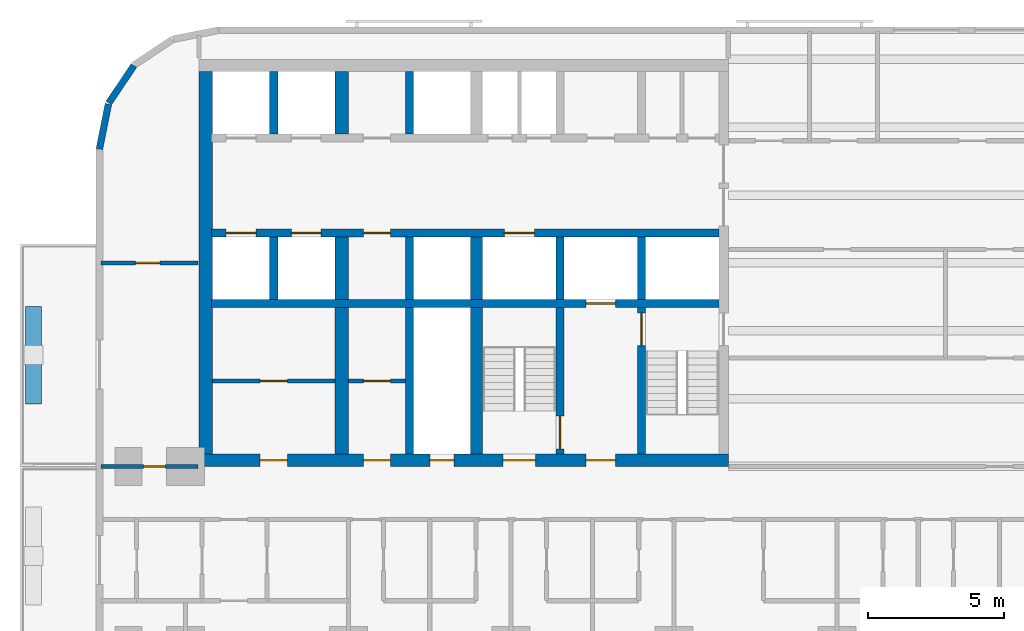
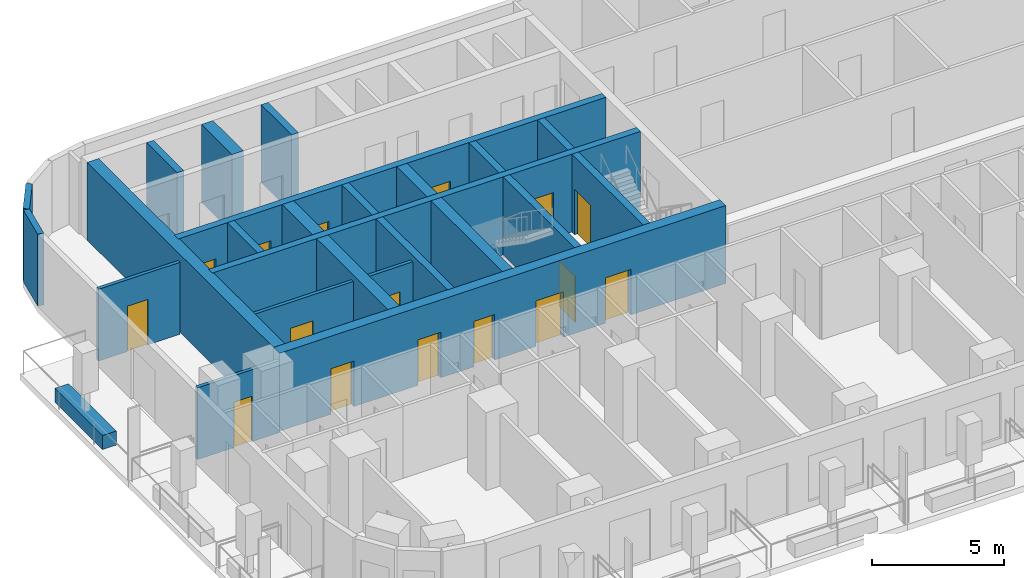
# One storey, part 3 of 15: 25 walls, 16 doors, 16 openings.
"""IFC4 building model written with IfcOpenShell, lengths in metres."""

from ifc_helpers import new_model, si_unit, direction, frame, frame_2d, origin, place, context, subcontext, project, spatial, rectangle, extrude, material, layer, layer_set, type_object, element, fill, save


model = new_model("IFC4")

# Units and contexts
model_context = context("Model", 3, precision=1e-05, world=origin(), true_north=direction((0.0, 1.0)))
body_context = subcontext(model_context, "Body", "Model", "MODEL_VIEW")
ifc_project = project(units=[si_unit("LENGTHUNIT", "METRE"), si_unit("AREAUNIT", "SQUARE_METRE"), si_unit("VOLUMEUNIT", "CUBIC_METRE"), si_unit("PLANEANGLEUNIT", "RADIAN"), si_unit("MASSUNIT", "GRAM", prefix="KILO")], contexts=[model_context])

# Site, building, storey
site_placement = place(None, origin())
site = spatial("IfcSite", under=ifc_project, at=site_placement, CompositionType="ELEMENT")
building_placement = place(site_placement, origin())
building = spatial("IfcBuilding", under=site, at=building_placement, Name="Torana Hotel and Residences", CompositionType="ELEMENT")
storey_placement = place(building_placement, frame((0.0, 0.0, 27.60009765625)))
storey = spatial("IfcBuildingStorey", under=building, at=storey_placement, Name="L05", CompositionType="ELEMENT", Elevation=27.60009765625)

# Wall, openings, doors
ifc_material_1 = material(Name="Concrete C80/95", Category="concrete")
ifc_layer_1 = layer(ifc_material_1, 0.300048828125)
ifc_layer_set_1 = layer_set([ifc_layer_1], Name="CORE WALL 300 C80/95")
wall_type_1 = type_object("IfcWallType", Name="CORE WALL 300 C80/95", PredefinedType="SHEAR", material=ifc_layer_set_1)
wall_1_placement = place(storey_placement, frame((-29.050048828125, -6.39990234375, 0.0), z_axis=(0.0, 0.0, 1.0), x_axis=(1.0, 0.0, 0.0)))
wall_1 = element("IfcWall", 1, at=wall_1_placement, inside=storey, type_object=wall_type_1, Name="Core wall W row-S", PredefinedType="SHEAR", context=body_context, shape_type="SweptSolid", body=[
    extrude(rectangle(XDim=18.699951171875, YDim=0.300048828125, at=frame_2d((9.35009765625, 0.0))), origin(), (0.0, 0.0, 1.0), 3.599853515625),
])
opening_1_placement = place(wall_1_placement, frame((2.949951171875, 0.0, 0.0)))
opening_1 = element("IfcOpeningElement", 2, at=opening_1_placement, cuts=wall_1, Name="Opening LD", PredefinedType="OPENING", context=body_context, shape_type="SweptSolid", body=[
    extrude(rectangle(XDim=1.10009765625, YDim=2.10009765625, at=frame_2d((0.550048828125, 1.050048828125))), frame((0.0, 0.159912109375, 0.0), z_axis=(0.0, -1.0, 0.0), x_axis=(1.0, 0.0, 0.0)), (0.0, 0.0, 1.0), 0.320068359375),
])
opening_2_placement = place(wall_1_placement, frame((0.550048828125, 0.0, 0.0)))
opening_2 = element("IfcOpeningElement", 3, at=opening_2_placement, cuts=wall_1, Name="Opening LD", PredefinedType="OPENING", context=body_context, shape_type="SweptSolid", body=[
    extrude(rectangle(XDim=1.10009765625, YDim=2.10009765625, at=frame_2d((0.550048828125, 1.050048828125))), frame((0.0, 0.159912109375, 0.0), z_axis=(0.0, -1.0, 0.0), x_axis=(1.0, 0.0, 0.0)), (0.0, 0.0, 1.0), 0.320068359375),
])
opening_3_placement = place(wall_1_placement, frame((10.800048828125, 0.0, 0.0)))
opening_3 = element("IfcOpeningElement", 4, at=opening_3_placement, cuts=wall_1, Name="Opening LD", PredefinedType="OPENING", context=body_context, shape_type="SweptSolid", body=[
    extrude(rectangle(XDim=1.10009765625, YDim=2.10009765625, at=frame_2d((0.550048828125, 1.050048828125))), frame((0.0, 0.159912109375, 0.0), z_axis=(0.0, -1.0, 0.0), x_axis=(1.0, 0.0, 0.0)), (0.0, 0.0, 1.0), 0.320068359375),
])
opening_4_placement = place(wall_1_placement, frame((5.60009765625, 0.0, 0.0)))
opening_4 = element("IfcOpeningElement", 5, at=opening_4_placement, cuts=wall_1, Name="Opening L05-15", PredefinedType="OPENING", context=body_context, shape_type="SweptSolid", body=[
    extrude(rectangle(XDim=1.0, YDim=2.10009765625, at=frame_2d((0.5, 1.050048828125))), frame((0.0, 0.159912109375, 0.0), z_axis=(0.0, -1.0, 0.0), x_axis=(1.0, 0.0, 0.0)), (0.0, 0.0, 1.0), 0.320068359375),
])
ifc_material_2 = material(Name="Steel S235", Category="steel")
door_type_1 = type_object("IfcDoorType", Name="CORE ROOM FIRE DOOR D14 1000x2100", OperationType="SINGLE_SWING_LEFT", PredefinedType="DOOR", material=ifc_material_2)
door_1_placement = place(opening_4_placement, frame((0.5, 0.0, 0.0), z_axis=(0.0, 0.0, 1.0), x_axis=(-1.0, 0.0, 0.0)))
door_1 = element("IfcDoor", 6, at=door_1_placement, inside=storey, type_object=door_type_1, Name="Free-M2 door L05", OperationType="SINGLE_SWING_LEFT", OverallHeight=2.10009765625, OverallWidth=1.0, PredefinedType="DOOR", context=body_context, shape_type="SweptSolid", body=[
    extrude(rectangle(XDim=1.0, YDim=2.10009765625, at=frame_2d((0.0, 1.050048828125))), frame((0.0, -0.02490234375, 0.0), z_axis=(0.0, 1.0, 0.0), x_axis=(-1.0, 0.0, 0.0)), (0.0, 0.0, 1.0), 0.050048828125),
])
fill(opening_4, door_1)
ifc_material_3 = material(Name="Stainless steel 316", Category="steel")
door_type_2 = type_object("IfcDoorType", Name="LIFT LANDING DOOR LD 1100x2100", OperationType="DOUBLE_DOOR_SLIDING", PredefinedType="USERDEFINED", material=ifc_material_3)
door_2_placement = place(opening_1_placement, origin())
door_2 = element("IfcDoor", 7, at=door_2_placement, inside=storey, type_object=door_type_2, Name="Lift landing door L3 L05", ObjectType="LIFT LANDING DOOR", OperationType="DOUBLE_DOOR_SLIDING", OverallHeight=2.10009765625, OverallWidth=1.10009765625, PredefinedType="USERDEFINED", context=body_context, shape_type="SweptSolid", body=[
    extrude(rectangle(XDim=1.10009765625, YDim=2.10009765625, at=frame_2d((0.550048828125, 1.050048828125))), frame((0.0, 0.02490234375, 0.0), z_axis=(0.0, -1.0, 0.0), x_axis=(1.0, 0.0, 0.0)), (0.0, 0.0, 1.0), 0.050048828125),
])
fill(opening_1, door_2)
door_3_placement = place(opening_2_placement, origin())
door_3 = element("IfcDoor", 8, at=door_3_placement, inside=storey, type_object=door_type_2, Name="Lift landing door L4 L05", ObjectType="LIFT LANDING DOOR", OperationType="DOUBLE_DOOR_SLIDING", OverallHeight=2.10009765625, OverallWidth=1.10009765625, PredefinedType="USERDEFINED", context=body_context, shape_type="SweptSolid", body=[
    extrude(rectangle(XDim=1.10009765625, YDim=2.10009765625, at=frame_2d((0.550048828125, 1.050048828125))), frame((0.0, 0.02490234375, 0.0), z_axis=(0.0, -1.0, 0.0), x_axis=(1.0, 0.0, 0.0)), (0.0, 0.0, 1.0), 0.050048828125),
])
fill(opening_2, door_3)
door_4_placement = place(opening_3_placement, origin())
door_4 = element("IfcDoor", 9, at=door_4_placement, inside=storey, type_object=door_type_2, Name="Lift landing door SV1 L05", ObjectType="LIFT LANDING DOOR", OperationType="DOUBLE_DOOR_SLIDING", OverallHeight=2.10009765625, OverallWidth=1.10009765625, PredefinedType="USERDEFINED", context=body_context, shape_type="SweptSolid", body=[
    extrude(rectangle(XDim=1.10009765625, YDim=2.10009765625, at=frame_2d((0.550048828125, 1.050048828125))), frame((0.0, 0.02490234375, 0.0), z_axis=(0.0, -1.0, 0.0), x_axis=(1.0, 0.0, 0.0)), (0.0, 0.0, 1.0), 0.050048828125),
])
fill(opening_3, door_4)

# Wall, opening, door
wall_2_placement = place(storey_placement, frame((-29.050048828125, -9.0, 0.0), z_axis=(0.0, 0.0, 1.0), x_axis=(1.0, 0.0, 0.0)))
wall_2 = element("IfcWall", 10, at=wall_2_placement, inside=storey, type_object=wall_type_1, Name="Core wall W band", PredefinedType="SHEAR", context=body_context, shape_type="SweptSolid", body=[
    extrude(rectangle(XDim=18.699951171875, YDim=0.300048828125, at=frame_2d((9.35009765625, 0.0))), origin(), (0.0, 0.0, 1.0), 3.599853515625),
])
opening_5_placement = place(wall_2_placement, frame((13.800048828125, 0.0, 0.0)))
opening_5 = element("IfcOpeningElement", 11, at=opening_5_placement, cuts=wall_2, Name="Opening LD", PredefinedType="OPENING", context=body_context, shape_type="SweptSolid", body=[
    extrude(rectangle(XDim=1.10009765625, YDim=2.10009765625, at=frame_2d((0.550048828125, 1.050048828125))), frame((0.0, 0.159912109375, 0.0), z_axis=(0.0, -1.0, 0.0), x_axis=(1.0, 0.0, 0.0)), (0.0, 0.0, 1.0), 0.320068359375),
])
door_5_placement = place(opening_5_placement, origin())
door_5 = element("IfcDoor", 12, at=door_5_placement, inside=storey, type_object=door_type_2, Name="Lift landing door FF1 L05", ObjectType="LIFT LANDING DOOR", OperationType="DOUBLE_DOOR_SLIDING", OverallHeight=2.10009765625, OverallWidth=1.10009765625, PredefinedType="USERDEFINED", context=body_context, shape_type="SweptSolid", body=[
    extrude(rectangle(XDim=1.10009765625, YDim=2.10009765625, at=frame_2d((0.550048828125, 1.050048828125))), frame((0.0, 0.02490234375, 0.0), z_axis=(0.0, -1.0, 0.0), x_axis=(1.0, 0.0, 0.0)), (0.0, 0.0, 1.0), 0.050048828125),
])
fill(opening_5, door_5)

# Wall
wall_3_placement = place(storey_placement, frame((-13.199951171875, -8.85009765625, 0.0), z_axis=(0.0, 0.0, 1.0), x_axis=(0.0, 1.0, 0.0)))
element("IfcWall", 13, at=wall_3_placement, inside=storey, type_object=wall_type_1, Name="Core wall W x3.05-S", PredefinedType="SHEAR", context=body_context, shape_type="SweptSolid", body=[
    extrude(rectangle(XDim=2.300048828125, YDim=0.300048828125, at=frame_2d((1.14990234375, 0.0))), origin(), (0.0, 0.0, 1.0), 3.599853515625),
])

# Wall, opening, door
wall_4_placement = place(storey_placement, frame((-13.199951171875, -14.550048828125, 0.0), z_axis=(0.0, 0.0, 1.0), x_axis=(0.0, 1.0, 0.0)))
wall_4 = element("IfcWall", 14, at=wall_4_placement, inside=storey, type_object=wall_type_1, Name="Core wall W x3.05-band", PredefinedType="SHEAR", context=body_context, shape_type="SweptSolid", body=[
    extrude(rectangle(XDim=5.400146484375, YDim=0.300048828125, at=frame_2d((2.7001953125, 0.0))), origin(), (0.0, 0.0, 1.0), 3.599853515625),
])
opening_6_placement = place(wall_4_placement, frame((4.0, 0.0, 0.0)))
opening_6 = element("IfcOpeningElement", 15, at=opening_6_placement, cuts=wall_4, Name="Opening L05-16", PredefinedType="OPENING", context=body_context, shape_type="SweptSolid", body=[
    extrude(rectangle(XDim=1.199951171875, YDim=2.10009765625, at=frame_2d((0.60009765625, 1.050048828125))), frame((0.0, 0.159912109375, 0.0), z_axis=(0.0, -1.0, 0.0), x_axis=(1.0, 0.0, 0.0)), (0.0, 0.0, 1.0), 0.320068359375),
])
ifc_material_4 = material(Name="Steel S235", Category="steel")
door_type_3 = type_object("IfcDoorType", Name="STAIR FIRE DOOR D3 1200x2100", OperationType="SINGLE_SWING_LEFT", PredefinedType="DOOR", material=ifc_material_4)
door_6_placement = place(opening_6_placement, frame((0.60009765625, 0.0, 0.0), z_axis=(0.0, 0.0, 1.0), x_axis=(-1.0, 0.0, 0.0)))
door_6 = element("IfcDoor", 16, at=door_6_placement, inside=storey, type_object=door_type_3, Name="Stair-A-lobby door L05", OperationType="SINGLE_SWING_RIGHT", OverallHeight=2.10009765625, OverallWidth=1.199951171875, PredefinedType="DOOR", context=body_context, shape_type="SweptSolid", body=[
    extrude(rectangle(XDim=1.199951171875, YDim=2.10009765625, at=frame_2d((0.0, 1.050048828125))), frame((0.0, -0.02490234375, 0.0), z_axis=(0.0, 1.0, 0.0), x_axis=(-1.0, 0.0, 0.0)), (0.0, 0.0, 1.0), 0.050048828125),
])
fill(opening_6, door_6)

# Wall
wall_5_placement = place(storey_placement, frame((-16.199951171875, -8.85009765625, 0.0), z_axis=(0.0, 0.0, 1.0), x_axis=(0.0, 1.0, 0.0)))
element("IfcWall", 17, at=wall_5_placement, inside=storey, type_object=wall_type_1, Name="Core wall W x6.05-S", PredefinedType="SHEAR", context=body_context, shape_type="SweptSolid", body=[
    extrude(rectangle(XDim=2.300048828125, YDim=0.300048828125, at=frame_2d((1.14990234375, 0.0))), origin(), (0.0, 0.0, 1.0), 3.599853515625),
])

# Wall, opening, door
wall_6_placement = place(storey_placement, frame((-16.199951171875, -14.550048828125, 0.0), z_axis=(0.0, 0.0, 1.0), x_axis=(0.0, 1.0, 0.0)))
wall_6 = element("IfcWall", 18, at=wall_6_placement, inside=storey, type_object=wall_type_1, Name="Core wall W x6.05-band", PredefinedType="SHEAR", context=body_context, shape_type="SweptSolid", body=[
    extrude(rectangle(XDim=5.400146484375, YDim=0.300048828125, at=frame_2d((2.7001953125, 0.0))), origin(), (0.0, 0.0, 1.0), 3.599853515625),
])
opening_7_placement = place(wall_6_placement, frame((0.199951171875, 0.0, 0.0)))
opening_7 = element("IfcOpeningElement", 19, at=opening_7_placement, cuts=wall_6, Name="Opening L05-17", PredefinedType="OPENING", context=body_context, shape_type="SweptSolid", body=[
    extrude(rectangle(XDim=1.199951171875, YDim=2.10009765625, at=frame_2d((0.60009765625, 1.050048828125))), frame((0.0, 0.159912109375, 0.0), z_axis=(0.0, -1.0, 0.0), x_axis=(1.0, 0.0, 0.0)), (0.0, 0.0, 1.0), 0.320068359375),
])
door_7_placement = place(opening_7_placement, origin())
door_7 = element("IfcDoor", 20, at=door_7_placement, inside=storey, type_object=door_type_3, Name="Stair-B-lobby door L05", OperationType="SINGLE_SWING_RIGHT", OverallHeight=2.10009765625, OverallWidth=1.199951171875, PredefinedType="DOOR", context=body_context, shape_type="SweptSolid", body=[
    extrude(rectangle(XDim=1.199951171875, YDim=2.10009765625, at=frame_2d((0.60009765625, 1.050048828125))), frame((0.0, 0.02490234375, 0.0), z_axis=(0.0, -1.0, 0.0), x_axis=(1.0, 0.0, 0.0)), (0.0, 0.0, 1.0), 0.050048828125),
])
fill(opening_7, door_7)

# Walls
for number, where, z_axis, x_axis, name in (
    (21, (-21.75, -2.75, 0.0), (0.0, 0.0, 1.0), (0.0, 1.0, 0.0), "Core wall W mm-N"),
    (22, (-21.75, -8.85009765625, 0.0), (0.0, 0.0, 1.0), (0.0, 1.0, 0.0), "Core wall W mm-S"),
):
    element("IfcWall", number, at=place(storey_placement, frame(where, z_axis=z_axis, x_axis=x_axis)), inside=storey, type_object=wall_type_1, Name=name, PredefinedType="SHEAR", context=body_context, shape_type="SweptSolid", body=[
        extrude(rectangle(XDim=2.300048828125, YDim=0.300048828125, at=frame_2d((1.14990234375, 0.0))), origin(), (0.0, 0.0, 1.0), 3.599853515625),
    ])
wall_7_placement = place(storey_placement, frame((-21.75, -14.550048828125, 0.0), z_axis=(0.0, 0.0, 1.0), x_axis=(0.0, 1.0, 0.0)))
element("IfcWall", 23, at=wall_7_placement, inside=storey, type_object=wall_type_1, Name="Core wall W mm-band", PredefinedType="SHEAR", context=body_context, shape_type="SweptSolid", body=[
    extrude(rectangle(XDim=5.400146484375, YDim=0.300048828125, at=frame_2d((2.7001953125, 0.0))), origin(), (0.0, 0.0, 1.0), 3.599853515625),
])
for number, where, z_axis, x_axis, name in (
    (24, (-26.75, -2.75, 0.0), (0.0, 0.0, 1.0), (0.0, 1.0, 0.0), "Core wall W ll-N"),
    (25, (-26.75, -8.85009765625, 0.0), (0.0, 0.0, 1.0), (0.0, 1.0, 0.0), "Core wall W ll-S"),
):
    element("IfcWall", number, at=place(storey_placement, frame(where, z_axis=z_axis, x_axis=x_axis)), inside=storey, type_object=wall_type_1, Name=name, PredefinedType="SHEAR", context=body_context, shape_type="SweptSolid", body=[
        extrude(rectangle(XDim=2.300048828125, YDim=0.300048828125, at=frame_2d((1.14990234375, 0.0))), origin(), (0.0, 0.0, 1.0), 3.599853515625),
    ])

# Wall, openings, doors
ifc_material_5 = material(Name="Concrete C80/95", Category="concrete")
ifc_layer_2 = layer(ifc_material_5, 0.449951171875)
ifc_layer_set_2 = layer_set([ifc_layer_2], Name="CORE WALL 450 C80/95")
wall_type_2 = type_object("IfcWallType", Name="CORE WALL 450 C80/95", PredefinedType="SHEAR", material=ifc_layer_set_2)
wall_8_placement = place(storey_placement, frame((-29.5, -14.77490234375, 0.0), z_axis=(0.0, 0.0, 1.0), x_axis=(1.0, 0.0, 0.0)))
wall_8 = element("IfcWall", 26, at=wall_8_placement, inside=storey, type_object=wall_type_2, Name="Core wall W front", PredefinedType="SHEAR", context=body_context, shape_type="SweptSolid", body=[
    extrude(rectangle(XDim=19.5, YDim=0.449951171875, at=frame_2d((9.75, 0.0))), origin(), (0.0, 0.0, 1.0), 3.599853515625),
])
opening_8_placement = place(wall_8_placement, frame((11.199951171875, 0.0, 0.0)))
opening_8 = element("IfcOpeningElement", 27, at=opening_8_placement, cuts=wall_8, Name="Opening L05-04", PredefinedType="OPENING", context=body_context, shape_type="SweptSolid", body=[
    extrude(rectangle(XDim=1.199951171875, YDim=2.10009765625, at=frame_2d((0.60009765625, 1.050048828125))), frame((0.0, 0.23486328125, 0.0), z_axis=(0.0, -1.0, 0.0), x_axis=(1.0, 0.0, 0.0)), (0.0, 0.0, 1.0), 0.469970703125),
])
opening_9_placement = place(wall_8_placement, frame((14.25, 0.0, 0.0)))
opening_9 = element("IfcOpeningElement", 28, at=opening_9_placement, cuts=wall_8, Name="Opening L05-05", PredefinedType="OPENING", context=body_context, shape_type="SweptSolid", body=[
    extrude(rectangle(XDim=1.10009765625, YDim=2.10009765625, at=frame_2d((0.550048828125, 1.050048828125))), frame((0.0, 0.23486328125, 0.0), z_axis=(0.0, -1.0, 0.0), x_axis=(1.0, 0.0, 0.0)), (0.0, 0.0, 1.0), 0.469970703125),
])
opening_10_placement = place(wall_8_placement, frame((8.5, 0.0, 0.0)))
opening_10 = element("IfcOpeningElement", 29, at=opening_10_placement, cuts=wall_8, Name="Opening L05-06", PredefinedType="OPENING", context=body_context, shape_type="SweptSolid", body=[
    extrude(rectangle(XDim=0.89990234375, YDim=2.10009765625, at=frame_2d((0.449951171875, 1.050048828125))), frame((0.0, 0.23486328125, 0.0), z_axis=(0.0, -1.0, 0.0), x_axis=(1.0, 0.0, 0.0)), (0.0, 0.0, 1.0), 0.469970703125),
])
opening_11_placement = place(wall_8_placement, frame((6.050048828125, 0.0, 0.0)))
opening_11 = element("IfcOpeningElement", 30, at=opening_11_placement, cuts=wall_8, Name="Opening L05-07", PredefinedType="OPENING", context=body_context, shape_type="SweptSolid", body=[
    extrude(rectangle(XDim=1.0, YDim=2.10009765625, at=frame_2d((0.5, 1.050048828125))), frame((0.0, 0.23486328125, 0.0), z_axis=(0.0, -1.0, 0.0), x_axis=(1.0, 0.0, 0.0)), (0.0, 0.0, 1.0), 0.469970703125),
])
opening_12_placement = place(wall_8_placement, frame((2.25, 0.0, 0.0)))
opening_12 = element("IfcOpeningElement", 31, at=opening_12_placement, cuts=wall_8, Name="Opening L05-08", PredefinedType="OPENING", context=body_context, shape_type="SweptSolid", body=[
    extrude(rectangle(XDim=1.0, YDim=2.10009765625, at=frame_2d((0.5, 1.050048828125))), frame((0.0, 0.23486328125, 0.0), z_axis=(0.0, -1.0, 0.0), x_axis=(1.0, 0.0, 0.0)), (0.0, 0.0, 1.0), 0.469970703125),
])
door_8_placement = place(opening_11_placement, origin())
door_8 = element("IfcDoor", 32, at=door_8_placement, inside=storey, type_object=door_type_1, Name="M-Room-B door L05", OperationType="SINGLE_SWING_RIGHT", OverallHeight=2.10009765625, OverallWidth=1.0, PredefinedType="DOOR", context=body_context, shape_type="SweptSolid", body=[
    extrude(rectangle(XDim=1.0, YDim=2.10009765625, at=frame_2d((0.5, 1.050048828125))), frame((0.0, 0.02490234375, 0.0), z_axis=(0.0, -1.0, 0.0), x_axis=(1.0, 0.0, 0.0)), (0.0, 0.0, 1.0), 0.050048828125),
])
fill(opening_11, door_8)
door_9_placement = place(opening_12_placement, origin())
door_9 = element("IfcDoor", 33, at=door_9_placement, inside=storey, type_object=door_type_1, Name="L-B door L05", OperationType="SINGLE_SWING_RIGHT", OverallHeight=2.10009765625, OverallWidth=1.0, PredefinedType="DOOR", context=body_context, shape_type="SweptSolid", body=[
    extrude(rectangle(XDim=1.0, YDim=2.10009765625, at=frame_2d((0.5, 1.050048828125))), frame((0.0, 0.02490234375, 0.0), z_axis=(0.0, -1.0, 0.0), x_axis=(1.0, 0.0, 0.0)), (0.0, 0.0, 1.0), 0.050048828125),
])
fill(opening_12, door_9)
ifc_material_6 = material(Name="Steel S235", Category="steel")
door_type_4 = type_object("IfcDoorType", Name="FIRE-FIGHTING LOBBY DOOR D8 1100x2100", OperationType="SINGLE_SWING_LEFT", PredefinedType="DOOR", material=ifc_material_6)
door_10_placement = place(opening_9_placement, origin())
door_10 = element("IfcDoor", 34, at=door_10_placement, inside=storey, type_object=door_type_4, Name="FF-lobby door L05", OperationType="SINGLE_SWING_RIGHT", OverallHeight=2.10009765625, OverallWidth=1.10009765625, PredefinedType="DOOR", context=body_context, shape_type="SweptSolid", body=[
    extrude(rectangle(XDim=1.10009765625, YDim=2.10009765625, at=frame_2d((0.550048828125, 1.050048828125))), frame((0.0, 0.02490234375, 0.0), z_axis=(0.0, -1.0, 0.0), x_axis=(1.0, 0.0, 0.0)), (0.0, 0.0, 1.0), 0.050048828125),
])
fill(opening_9, door_10)
ifc_material_7 = material(Name="Steel S235", Category="steel")
door_type_5 = type_object("IfcDoorType", Name="RISER ACCESS DOOR D5 900x2100", OperationType="SINGLE_SWING_LEFT", PredefinedType="DOOR", material=ifc_material_7)
door_11_placement = place(opening_10_placement, origin())
door_11 = element("IfcDoor", 35, at=door_11_placement, inside=storey, type_object=door_type_5, Name="M-Riser door L05", OperationType="SINGLE_SWING_RIGHT", OverallHeight=2.10009765625, OverallWidth=0.89990234375, PredefinedType="DOOR", context=body_context, shape_type="SweptSolid", body=[
    extrude(rectangle(XDim=0.89990234375, YDim=2.10009765625, at=frame_2d((0.449951171875, 1.050048828125))), frame((0.0, 0.02490234375, 0.0), z_axis=(0.0, -1.0, 0.0), x_axis=(1.0, 0.0, 0.0)), (0.0, 0.0, 1.0), 0.050048828125),
])
fill(opening_10, door_11)
door_12_placement = place(opening_8_placement, origin())
door_12 = element("IfcDoor", 36, at=door_12_placement, inside=storey, type_object=door_type_3, Name="Stair-B door L05", OperationType="SINGLE_SWING_RIGHT", OverallHeight=2.10009765625, OverallWidth=1.199951171875, PredefinedType="DOOR", context=body_context, shape_type="SweptSolid", body=[
    extrude(rectangle(XDim=1.199951171875, YDim=2.10009765625, at=frame_2d((0.60009765625, 1.050048828125))), frame((0.0, 0.02490234375, 0.0), z_axis=(0.0, -1.0, 0.0), x_axis=(1.0, 0.0, 0.0)), (0.0, 0.0, 1.0), 0.050048828125),
])
fill(opening_8, door_12)

# Walls
wall_9_placement = place(storey_placement, frame((-19.27490234375, -8.85009765625, 0.0), z_axis=(0.0, 0.0, 1.0), x_axis=(0.0, 1.0, 0.0)))
element("IfcWall", 37, at=wall_9_placement, inside=storey, type_object=wall_type_2, Name="Core wall W hm-S", PredefinedType="SHEAR", context=body_context, shape_type="SweptSolid", body=[
    extrude(rectangle(XDim=2.300048828125, YDim=0.449951171875, at=frame_2d((1.14990234375, 0.0))), origin(), (0.0, 0.0, 1.0), 3.599853515625),
])
wall_10_placement = place(storey_placement, frame((-19.27490234375, -14.550048828125, 0.0), z_axis=(0.0, 0.0, 1.0), x_axis=(0.0, 1.0, 0.0)))
element("IfcWall", 38, at=wall_10_placement, inside=storey, type_object=wall_type_2, Name="Core wall W hm-band", PredefinedType="SHEAR", context=body_context, shape_type="SweptSolid", body=[
    extrude(rectangle(XDim=5.400146484375, YDim=0.449951171875, at=frame_2d((2.7001953125, 0.0))), origin(), (0.0, 0.0, 1.0), 3.599853515625),
])
ifc_material_8 = material(Name="Concrete C80/95", Category="concrete")
ifc_layer_3 = layer(ifc_material_8, 0.5)
ifc_layer_set_3 = layer_set([ifc_layer_3], Name="CORE WALL 500 C80/95")
wall_type_3 = type_object("IfcWallType", Name="CORE WALL 500 C80/95", PredefinedType="SHEAR", material=ifc_layer_set_3)
wall_11_placement = place(storey_placement, frame((-29.25, -14.550048828125, 0.0), z_axis=(0.0, 0.0, 1.0), x_axis=(0.0, 1.0, 0.0)))
element("IfcWall", 39, at=wall_11_placement, inside=storey, type_object=wall_type_3, Name="Core wall W outer", PredefinedType="SHEAR", context=body_context, shape_type="SweptSolid", body=[
    extrude(rectangle(XDim=14.10009765625, YDim=0.5, at=frame_2d((7.050048828125, 0.0))), origin(), (0.0, 0.0, 1.0), 3.599853515625),
])
for number, where, z_axis, x_axis, name in (
    (40, (-24.25, -2.75, 0.0), (0.0, 0.0, 1.0), (0.0, 1.0, 0.0), "Core wall W ml-N"),
    (41, (-24.25, -8.85009765625, 0.0), (0.0, 0.0, 1.0), (0.0, 1.0, 0.0), "Core wall W ml-S"),
):
    element("IfcWall", number, at=place(storey_placement, frame(where, z_axis=z_axis, x_axis=x_axis)), inside=storey, type_object=wall_type_3, Name=name, PredefinedType="SHEAR", context=body_context, shape_type="SweptSolid", body=[
        extrude(rectangle(XDim=2.300048828125, YDim=0.5, at=frame_2d((1.14990234375, 0.0))), origin(), (0.0, 0.0, 1.0), 3.599853515625),
    ])
wall_12_placement = place(storey_placement, frame((-24.25, -14.550048828125, 0.0), z_axis=(0.0, 0.0, 1.0), x_axis=(0.0, 1.0, 0.0)))
element("IfcWall", 42, at=wall_12_placement, inside=storey, type_object=wall_type_3, Name="Core wall W ml-band", PredefinedType="SHEAR", context=body_context, shape_type="SweptSolid", body=[
    extrude(rectangle(XDim=5.400146484375, YDim=0.5, at=frame_2d((2.7001953125, 0.0))), origin(), (0.0, 0.0, 1.0), 3.599853515625),
])
ifc_material_9 = material(Name="Black aluminium composite panel", Category="aluminium")
ifc_layer_4 = layer(ifc_material_9, 0.00390625, Name="Cladding", Category="cladding")
ifc_material_10 = material(Name="Ventilated air cavity")
ifc_layer_5 = layer(ifc_material_10, 0.0400390625, Name="Ventilated cavity", Category="cavity")
ifc_material_11 = material(Name="Mineral wool insulation")
ifc_layer_6 = layer(ifc_material_11, 0.090087890625, Name="Insulation", Category="insulation")
ifc_material_12 = material(Name="Steel S280GD", Category="steel")
ifc_layer_7 = layer(ifc_material_12, 0.092041015625, Name="Steel stud frame", Category="structure")
ifc_material_13 = material(Name="Fire rated plasterboard")
ifc_layer_8 = layer(ifc_material_13, 0.011962890625, Name="Inner board", Category="finish")
ifc_layer_9 = layer(ifc_material_13, 0.011962890625, Name="Second board", Category="finish")
ifc_layer_set_4 = layer_set([ifc_layer_4, ifc_layer_5, ifc_layer_6, ifc_layer_7, ifc_layer_8, ifc_layer_9], Name="EW1 EXTERNAL WALL BLACK METAL CLAD 250")
wall_type_4 = type_object("IfcWallType", Name="EW1 EXTERNAL WALL BLACK METAL CLAD 250", PredefinedType="SOLIDWALL", material=ifc_layer_set_4)
wall_13_placement = place(storey_placement, frame((-31.90576171875, -0.228759765625, 0.0), z_axis=(0.0, 0.0, 1.0), x_axis=(-0.55555029066, -0.831482937015, 0.0)))
element("IfcWall", 43, at=wall_13_placement, inside=storey, type_object=wall_type_4, Name="External wall L05 e0.7", PredefinedType="SOLIDWALL", context=body_context, shape_type="SweptSolid", body=[
    extrude(rectangle(XDim=1.65625, YDim=0.25, at=frame_2d((0.828125, 0.0))), origin(), (0.0, 0.0, 1.0), 3.31982421875),
])
wall_14_placement = place(storey_placement, frame((-32.844482421875, -1.651123046875, 0.0), z_axis=(0.0, 0.0, 1.0), x_axis=(-0.19513878023, -0.980775640221, 0.0)))
element("IfcWall", 44, at=wall_14_placement, inside=storey, type_object=wall_type_4, Name="External wall L05 e0.8", PredefinedType="SOLIDWALL", context=body_context, shape_type="SweptSolid", body=[
    extrude(rectangle(XDim=1.681396484375, YDim=0.25, at=frame_2d((0.8408203125, 0.0))), origin(), (0.0, 0.0, 1.0), 3.31982421875),
])

# Wall, opening, door
ifc_material_14 = material(Name="Gypsum plaster")
ifc_layer_10 = layer(ifc_material_14, 0.014892578125, Name="Plaster", Category="finish")
ifc_material_15 = material(Name="Concrete blockwork", Category="masonry")
ifc_layer_11 = layer(ifc_material_15, 0.1201171875, Name="Blockwork", Category="structure")
ifc_layer_12 = layer(ifc_material_14, 0.014892578125, Name="Plaster", Category="finish")
ifc_layer_set_5 = layer_set([ifc_layer_10, ifc_layer_11, ifc_layer_12], Name="FIRE PARTITION 150 BLOCKWORK")
wall_type_5 = type_object("IfcWallType", Name="FIRE PARTITION 150 BLOCKWORK", PredefinedType="PARTITIONING", material=ifc_layer_set_5)
wall_15_placement = place(storey_placement, frame((-24.0, -11.85009765625, 0.0), z_axis=(0.0, 0.0, 1.0), x_axis=(1.0, 0.0, 0.0)))
wall_15 = element("IfcWall", 45, at=wall_15_placement, inside=storey, type_object=wall_type_5, Name="Core partition L05", PredefinedType="PARTITIONING", context=body_context, shape_type="SweptSolid", body=[
    extrude(rectangle(XDim=2.10009765625, YDim=0.14990234375, at=frame_2d((1.050048828125, 0.0))), origin(), (0.0, 0.0, 1.0), 3.2998046875),
])
opening_13_placement = place(wall_15_placement, frame((0.550048828125, 0.0, 0.0)))
opening_13 = element("IfcOpeningElement", 46, at=opening_13_placement, cuts=wall_15, Name="Opening L05-35", PredefinedType="OPENING", context=body_context, shape_type="SweptSolid", body=[
    extrude(rectangle(XDim=1.0, YDim=2.10009765625, at=frame_2d((0.5, 1.050048828125))), frame((0.0, 0.0849609375, 0.0), z_axis=(0.0, -1.0, 0.0), x_axis=(1.0, 0.0, 0.0)), (0.0, 0.0, 1.0), 0.169921875),
])
door_13_placement = place(opening_13_placement, origin())
door_13 = element("IfcDoor", 47, at=door_13_placement, inside=storey, type_object=door_type_1, Name="Plant room door L05", OperationType="SINGLE_SWING_RIGHT", OverallHeight=2.10009765625, OverallWidth=1.0, PredefinedType="DOOR", context=body_context, shape_type="SweptSolid", body=[
    extrude(rectangle(XDim=1.0, YDim=2.10009765625, at=frame_2d((0.5, 1.050048828125))), frame((0.0, 0.02490234375, 0.0), z_axis=(0.0, -1.0, 0.0), x_axis=(1.0, 0.0, 0.0)), (0.0, 0.0, 1.0), 0.050048828125),
])
fill(opening_13, door_13)

wall_16_placement = place(storey_placement, frame((-29.0, -11.85009765625, 0.0), z_axis=(0.0, 0.0, 1.0), x_axis=(1.0, 0.0, 0.0)))
wall_16 = element("IfcWall", 48, at=wall_16_placement, inside=storey, type_object=wall_type_5, Name="Core partition L05", PredefinedType="PARTITIONING", context=body_context, shape_type="SweptSolid", body=[
    extrude(rectangle(XDim=4.5, YDim=0.14990234375, at=frame_2d((2.25, 0.0))), origin(), (0.0, 0.0, 1.0), 3.2998046875),
])
opening_14_placement = place(wall_16_placement, frame((1.75, 0.0, 0.0)))
opening_14 = element("IfcOpeningElement", 49, at=opening_14_placement, cuts=wall_16, Name="Opening L05-36", PredefinedType="OPENING", context=body_context, shape_type="SweptSolid", body=[
    extrude(rectangle(XDim=1.0, YDim=2.10009765625, at=frame_2d((0.5, 1.050048828125))), frame((0.0, 0.0849609375, 0.0), z_axis=(0.0, -1.0, 0.0), x_axis=(1.0, 0.0, 0.0)), (0.0, 0.0, 1.0), 0.169921875),
])
door_14_placement = place(opening_14_placement, origin())
door_14 = element("IfcDoor", 50, at=door_14_placement, inside=storey, type_object=door_type_1, Name="Plant room door L05", OperationType="SINGLE_SWING_RIGHT", OverallHeight=2.10009765625, OverallWidth=1.0, PredefinedType="DOOR", context=body_context, shape_type="SweptSolid", body=[
    extrude(rectangle(XDim=1.0, YDim=2.10009765625, at=frame_2d((0.5, 1.050048828125))), frame((0.0, 0.02490234375, 0.0), z_axis=(0.0, -1.0, 0.0), x_axis=(1.0, 0.0, 0.0)), (0.0, 0.0, 1.0), 0.050048828125),
])
fill(opening_14, door_14)

wall_17_placement = place(storey_placement, frame((-33.1201171875, -15.0, 0.0), z_axis=(0.0, 0.0, 1.0), x_axis=(1.0, 0.0, 0.0)))
wall_17 = element("IfcWall", 51, at=wall_17_placement, inside=storey, type_object=wall_type_5, Name="Partition L05", PredefinedType="PARTITIONING", context=body_context, shape_type="SweptSolid", body=[
    extrude(rectangle(XDim=3.570068359375, YDim=0.14990234375, at=frame_2d((1.78515625, 0.0))), origin(), (0.0, 0.0, 1.0), 3.31982421875),
])
opening_15_placement = place(wall_17_placement, frame((1.580078125, 0.0, 0.0)))
opening_15 = element("IfcOpeningElement", 52, at=opening_15_placement, cuts=wall_17, Name="Opening L05-57", PredefinedType="OPENING", context=body_context, shape_type="SweptSolid", body=[
    extrude(rectangle(XDim=0.800048828125, YDim=2.10009765625, at=frame_2d((0.39990234375, 1.050048828125))), frame((0.0, 0.0849609375, 0.0), z_axis=(0.0, -1.0, 0.0), x_axis=(1.0, 0.0, 0.0)), (0.0, 0.0, 1.0), 0.169921875),
])
ifc_material_16 = material(Name="Steel S235", Category="steel")
door_type_6 = type_object("IfcDoorType", Name="STORE FIRE DOOR D16 800x2100", OperationType="SINGLE_SWING_LEFT", PredefinedType="DOOR", material=ifc_material_16)
door_15_placement = place(opening_15_placement, origin())
door_15 = element("IfcDoor", 53, at=door_15_placement, inside=storey, type_object=door_type_6, Name="Door L05", OperationType="SINGLE_SWING_RIGHT", OverallHeight=2.10009765625, OverallWidth=0.800048828125, PredefinedType="DOOR", context=body_context, shape_type="SweptSolid", body=[
    extrude(rectangle(XDim=0.800048828125, YDim=2.10009765625, at=frame_2d((0.39990234375, 1.050048828125))), frame((0.0, 0.02490234375, 0.0), z_axis=(0.0, -1.0, 0.0), x_axis=(1.0, 0.0, 0.0)), (0.0, 0.0, 1.0), 0.050048828125),
])
fill(opening_15, door_15)

ifc_material_17 = material(Name="Gypsum plasterboard")
ifc_layer_13 = layer(ifc_material_17, 0.012451171875, Name="Plasterboard", Category="finish")
ifc_layer_14 = layer(ifc_material_17, 0.012451171875, Name="Plasterboard", Category="finish")
ifc_layer_15 = layer(ifc_material_12, 0.10009765625, Name="Steel studs with mineral wool", Category="insulation")
ifc_layer_16 = layer(ifc_material_17, 0.012451171875, Name="Plasterboard", Category="finish")
ifc_layer_17 = layer(ifc_material_17, 0.012451171875, Name="Plasterboard", Category="finish")
ifc_layer_set_6 = layer_set([ifc_layer_13, ifc_layer_14, ifc_layer_15, ifc_layer_16, ifc_layer_17], Name="PARTITION 150 PLASTERBOARD")
wall_type_6 = type_object("IfcWallType", Name="PARTITION 150 PLASTERBOARD", PredefinedType="PARTITIONING", material=ifc_layer_set_6)
wall_18_placement = place(storey_placement, frame((-33.1201171875, -7.5, 0.0), z_axis=(0.0, 0.0, 1.0), x_axis=(1.0, 0.0, 0.0)))
wall_18 = element("IfcWall", 54, at=wall_18_placement, inside=storey, type_object=wall_type_6, Name="Partition L05", PredefinedType="PARTITIONING", context=body_context, shape_type="SweptSolid", body=[
    extrude(rectangle(XDim=3.570068359375, YDim=0.14990234375, at=frame_2d((1.78515625, 0.0))), origin(), (0.0, 0.0, 1.0), 3.31982421875),
])
opening_16_placement = place(wall_18_placement, frame((1.27001953125, 0.0, 0.0)))
opening_16 = element("IfcOpeningElement", 55, at=opening_16_placement, cuts=wall_18, Name="Opening L05-92", PredefinedType="OPENING", context=body_context, shape_type="SweptSolid", body=[
    extrude(rectangle(XDim=0.89990234375, YDim=2.10009765625, at=frame_2d((0.449951171875, 1.050048828125))), frame((0.0, 0.0849609375, 0.0), z_axis=(0.0, -1.0, 0.0), x_axis=(1.0, 0.0, 0.0)), (0.0, 0.0, 1.0), 0.169921875),
])
ifc_material_18 = material(Name="Timber door, oiled ash", Category="wood")
door_type_7 = type_object("IfcDoorType", Name="ROOM DOOR D7 900x2100", OperationType="SINGLE_SWING_LEFT", PredefinedType="DOOR", material=ifc_material_18)
door_16_placement = place(opening_16_placement, origin())
door_16 = element("IfcDoor", 56, at=door_16_placement, inside=storey, type_object=door_type_7, Name="Door L05", OperationType="SINGLE_SWING_RIGHT", OverallHeight=2.10009765625, OverallWidth=0.89990234375, PredefinedType="DOOR", context=body_context, shape_type="SweptSolid", body=[
    extrude(rectangle(XDim=0.89990234375, YDim=2.10009765625, at=frame_2d((0.449951171875, 1.050048828125))), frame((0.0, 0.02490234375, 0.0), z_axis=(0.0, -1.0, 0.0), x_axis=(1.0, 0.0, 0.0)), (0.0, 0.0, 1.0), 0.050048828125),
])
fill(opening_16, door_16)

# Wall
ifc_material_19 = material(Name="Concrete C40/50 precast", Category="concrete")
ifc_layer_18 = layer(ifc_material_19, 0.10009765625, Name="Planter shell", Category="structure")
ifc_material_20 = material(Name="Root resistant membrane")
ifc_layer_19 = layer(ifc_material_20, 0.00390625, Name="Waterproofing membrane", Category="membrane")
ifc_material_21 = material(Name="Drainage board with filter fleece")
ifc_layer_20 = layer(ifc_material_21, 0.02001953125, Name="Drainage board", Category="drainage")
ifc_material_22 = material(Name="Growing medium")
ifc_layer_21 = layer(ifc_material_22, 0.47607421875, Name="Planting substrate", Category="soil")
ifc_layer_set_7 = layer_set([ifc_layer_18, ifc_layer_19, ifc_layer_20, ifc_layer_21], Name="PL1 BALCONY PLANTER 600")
wall_type_7 = type_object("IfcWallType", Name="PL1 BALCONY PLANTER 600", PredefinedType="USERDEFINED", material=ifc_layer_set_7)
wall_19_placement = place(storey_placement, frame((-35.60009765625, -12.699951171875, 0.0), z_axis=(0.0, 0.0, 1.0), x_axis=(0.0, 1.0, 0.0)))
element("IfcWall", 57, at=wall_19_placement, inside=storey, type_object=wall_type_7, Name="Planter 13", ObjectType="PLANTER", PredefinedType="USERDEFINED", context=body_context, shape_type="SweptSolid", body=[
    extrude(rectangle(XDim=3.599853515625, YDim=0.60009765625, at=frame_2d((1.7998046875, 0.0))), origin(), (0.0, 0.0, 1.0), 0.64990234375),
])

save(model, "model.ifc")
